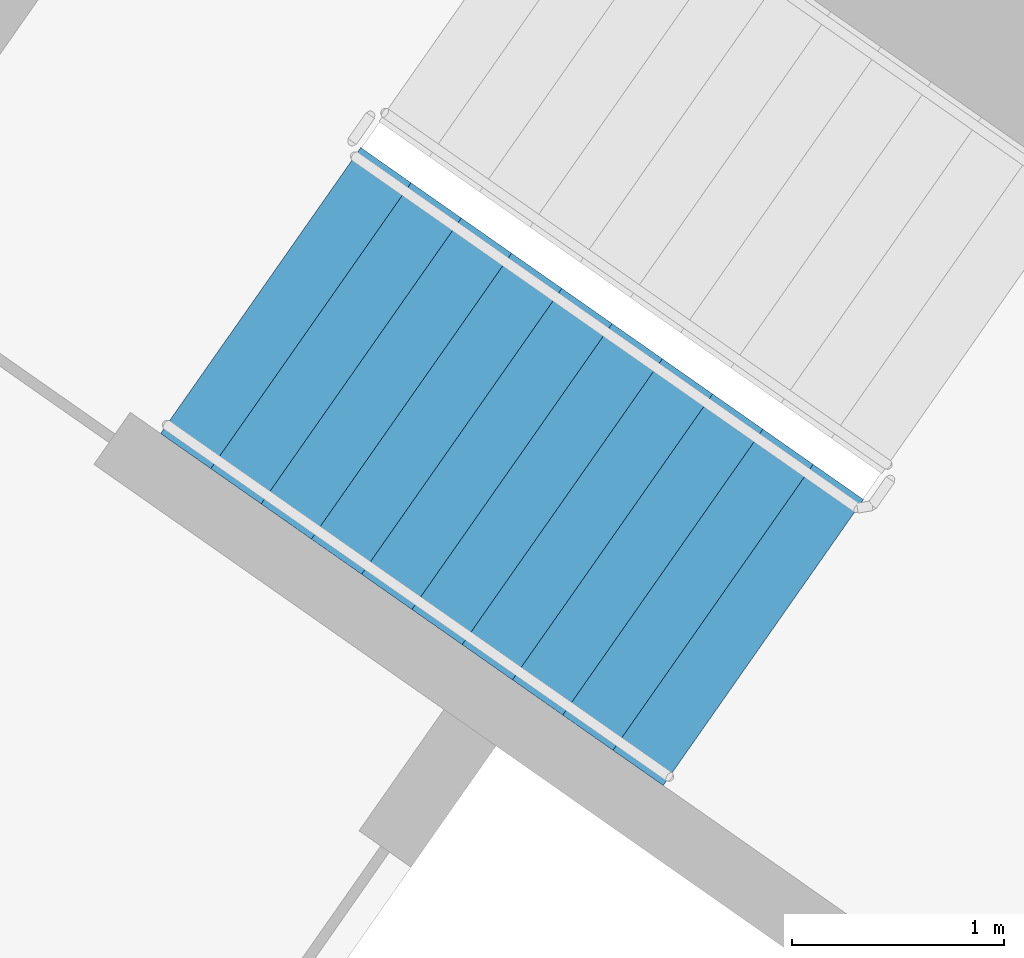
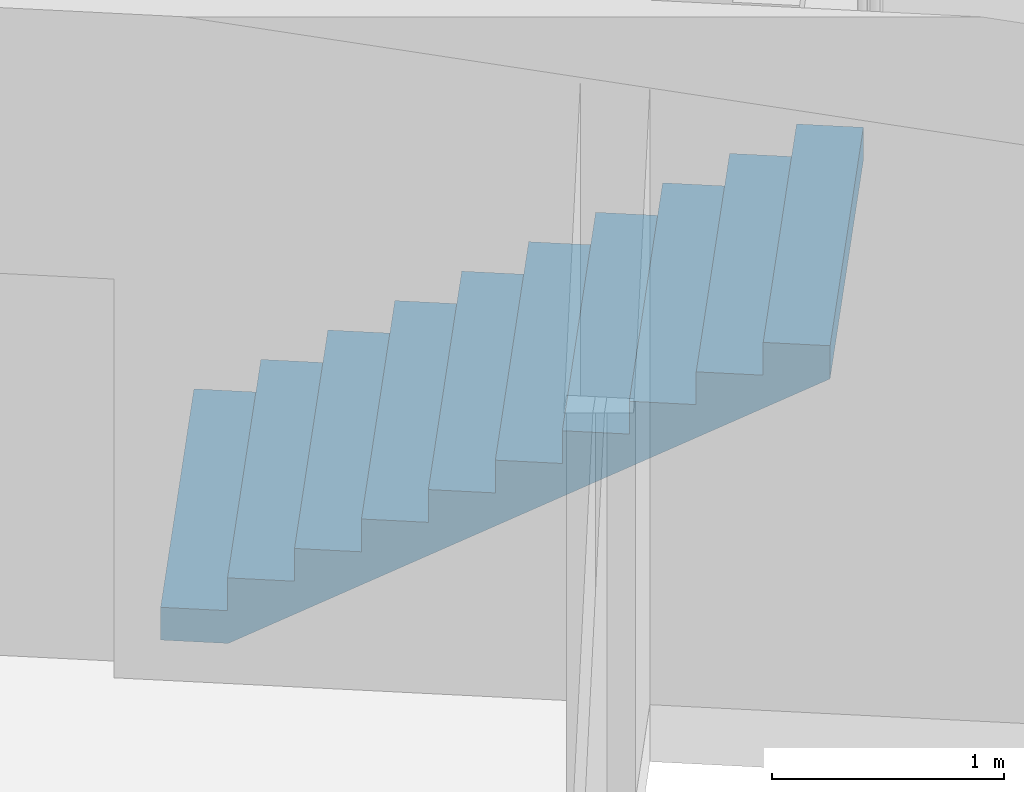
# One storey, part 11 of 28: 1 stair flight, 1 element without a shape of its own.
"""IFC4 building model written with IfcOpenShell, lengths in metres."""

from ifc_helpers import new_model, si_unit, direction, frame, origin, place, context, subcontext, project, spatial, faceted_brep, material, type_object, element, aggregate, save


model = new_model("IFC4")

# Units and contexts
model_context = context("Model", 3, precision=1e-05, world=origin(), true_north=direction((0.0, 1.0)))
body_context = subcontext(model_context, "Body", "Model", "MODEL_VIEW")
ifc_project = project(units=[si_unit("LENGTHUNIT", "METRE"), si_unit("AREAUNIT", "SQUARE_METRE"), si_unit("VOLUMEUNIT", "CUBIC_METRE"), si_unit("PLANEANGLEUNIT", "RADIAN"), si_unit("MASSUNIT", "GRAM", prefix="KILO")], contexts=[model_context])

# Site, building, storey
site_placement = place(None, origin())
site = spatial("IfcSite", under=ifc_project, at=site_placement, CompositionType="ELEMENT")
building_placement = place(site_placement, origin())
building = spatial("IfcBuilding", under=site, at=building_placement, Name="Qamariyya Broadcast Tower", CompositionType="ELEMENT")
storey_placement = place(building_placement, frame((0.0, 0.0, 265.699951171875)))
storey = spatial("IfcBuildingStorey", under=building, at=storey_placement, Name="L64", CompositionType="ELEMENT", Elevation=265.699951171875)

# Stair, stair flight
ifc_material = material(Name="Concrete C50/60", Category="concrete")
stair_type = type_object("IfcStairType", Name="Exit stair 22 risers of 173 mm", PredefinedType="HALF_TURN_STAIR", material=ifc_material)
stair_placement = place(storey_placement, origin())
stair = element("IfcStair", 1, at=stair_placement, inside=storey, type_object=stair_type, Name="L64 Stair W2", PredefinedType="HALF_TURN_STAIR")
stair_flight_type = type_object("IfcStairFlightType", Name="Exit stair flight 11 risers of 173 mm", PredefinedType="STRAIGHT", material=ifc_material)
stair_flight_placement = place(storey_placement, frame((-41.59130859375, -49.15966796875, 0.0), z_axis=(0.0, 0.0, 1.0), x_axis=(0.819152044289, -0.573576436351, 0.0)))
stair_flight = element("IfcStairFlight", 2, at=stair_flight_placement, type_object=stair_flight_type, Name="ST-W2 flight 1", NumberOfRisers=11, NumberOfTreads=10, PredefinedType="STRAIGHT", RiserHeight=0.172727273, TreadLength=0.29, context=body_context, shape_type="Brep", body=[
    faceted_brep([(0.0, 0.824951171875, 0.0), (0.0, 0.824951171875, 0.172607421875), (0.2900390625, 0.824951171875, 0.172607421875), (0.2900390625, 0.824951171875, 0.345458984375), (0.580078125, 0.824951171875, 0.345458984375), (0.580078125, 0.824951171875, 0.51806640625), (0.8701171875, 0.824951171875, 0.51806640625), (0.8701171875, 0.824951171875, 0.69091796875), (1.159912109375, 0.824951171875, 0.69091796875), (1.159912109375, 0.824951171875, 0.863525390625), (1.449951171875, 0.824951171875, 0.863525390625), (1.449951171875, 0.824951171875, 1.036376953125), (1.739990234375, 0.824951171875, 1.036376953125), (1.739990234375, 0.824951171875, 1.208984375), (2.030029296875, 0.824951171875, 1.208984375), (2.030029296875, 0.824951171875, 1.3818359375), (2.320068359375, 0.824951171875, 1.3818359375), (2.320068359375, 0.824951171875, 1.554443359375), (2.610107421875, 0.824951171875, 1.554443359375), (2.610107421875, 0.824951171875, 1.727294921875), (2.89990234375, 0.824951171875, 1.727294921875), (2.89990234375, 0.824951171875, 1.552734375), (0.29296875, 0.824951171875, 0.0), (0.29296875, -0.824951171875, 0.0), (2.89990234375, -0.824951171875, 1.552734375), (2.89990234375, -0.824951171875, 1.727294921875), (2.610107421875, -0.824951171875, 1.727294921875), (2.610107421875, -0.824951171875, 1.554443359375), (2.320068359375, -0.824951171875, 1.554443359375), (2.320068359375, -0.824951171875, 1.3818359375), (2.030029296875, -0.824951171875, 1.3818359375), (2.030029296875, -0.824951171875, 1.208984375), (1.739990234375, -0.824951171875, 1.208984375), (1.739990234375, -0.824951171875, 1.036376953125), (1.449951171875, -0.824951171875, 1.036376953125), (1.449951171875, -0.824951171875, 0.863525390625), (1.159912109375, -0.824951171875, 0.863525390625), (1.159912109375, -0.824951171875, 0.69091796875), (0.8701171875, -0.824951171875, 0.69091796875), (0.8701171875, -0.824951171875, 0.51806640625), (0.580078125, -0.824951171875, 0.51806640625), (0.580078125, -0.824951171875, 0.345458984375), (0.2900390625, -0.824951171875, 0.345458984375), (0.2900390625, -0.824951171875, 0.172607421875), (0.0, -0.824951171875, 0.172607421875), (0.0, -0.824951171875, 0.0), (0.0, 0.10009765625, 0.0), (0.0, 0.086669921875, 0.0), (0.0, 0.0732421875, 0.0), (0.0, 0.06005859375, 0.0), (0.0, 0.046630859375, 0.0), (0.0, 0.033447265625, 0.0), (0.0, 0.02001953125, 0.0), (0.0, 0.006591796875, 0.0), (0.0, -0.006591796875, 0.0), (0.0, -0.02001953125, 0.0), (0.0, -0.033447265625, 0.0), (0.0, -0.046630859375, 0.0), (0.0, -0.06005859375, 0.0), (0.0, -0.0732421875, 0.0), (0.0, -0.086669921875, 0.0), (0.0, -0.10009765625, 0.0), (0.0, -0.10009765625, 0.172607421875), (0.0, -0.086669921875, 0.172607421875), (0.0, -0.0732421875, 0.172607421875), (0.0, -0.06005859375, 0.172607421875), (0.0, -0.046630859375, 0.172607421875), (0.0, -0.033447265625, 0.172607421875), (0.0, -0.02001953125, 0.172607421875), (0.0, -0.006591796875, 0.172607421875), (0.0, 0.006591796875, 0.172607421875), (0.0, 0.02001953125, 0.172607421875), (0.0, 0.033447265625, 0.172607421875), (0.0, 0.046630859375, 0.172607421875), (0.0, 0.06005859375, 0.172607421875), (0.0, 0.0732421875, 0.172607421875), (0.0, 0.086669921875, 0.172607421875), (0.0, 0.10009765625, 0.172607421875), (0.2900390625, -0.10009765625, 0.172607421875), (0.2900390625, -0.086669921875, 0.172607421875), (0.2900390625, -0.0732421875, 0.172607421875), (0.2900390625, -0.06005859375, 0.172607421875), (0.2900390625, -0.046630859375, 0.172607421875), (0.2900390625, -0.033447265625, 0.172607421875), (0.2900390625, -0.02001953125, 0.172607421875), (0.2900390625, -0.006591796875, 0.172607421875), (0.2900390625, 0.006591796875, 0.172607421875), (0.2900390625, 0.02001953125, 0.172607421875), (0.2900390625, 0.033447265625, 0.172607421875), (0.2900390625, 0.046630859375, 0.172607421875), (0.2900390625, 0.06005859375, 0.172607421875), (0.2900390625, 0.0732421875, 0.172607421875), (0.2900390625, 0.086669921875, 0.172607421875), (0.2900390625, 0.10009765625, 0.172607421875), (0.2900390625, -0.10009765625, 0.345458984375), (0.2900390625, -0.086669921875, 0.345458984375), (0.2900390625, -0.0732421875, 0.345458984375), (0.2900390625, -0.06005859375, 0.345458984375), (0.2900390625, -0.046630859375, 0.345458984375), (0.2900390625, -0.033447265625, 0.345458984375), (0.2900390625, -0.02001953125, 0.345458984375), (0.2900390625, -0.006591796875, 0.345458984375), (0.2900390625, 0.006591796875, 0.345458984375), (0.2900390625, 0.02001953125, 0.345458984375), (0.2900390625, 0.033447265625, 0.345458984375), (0.2900390625, 0.046630859375, 0.345458984375), (0.2900390625, 0.06005859375, 0.345458984375), (0.2900390625, 0.0732421875, 0.345458984375), (0.2900390625, 0.086669921875, 0.345458984375), (0.2900390625, 0.10009765625, 0.345458984375), (0.580078125, -0.10009765625, 0.345458984375), (0.580078125, -0.086669921875, 0.345458984375), (0.580078125, -0.0732421875, 0.345458984375), (0.580078125, -0.06005859375, 0.345458984375), (0.580078125, -0.046630859375, 0.345458984375), (0.580078125, -0.033447265625, 0.345458984375), (0.580078125, -0.02001953125, 0.345458984375), (0.580078125, -0.006591796875, 0.345458984375), (0.580078125, 0.006591796875, 0.345458984375), (0.580078125, 0.02001953125, 0.345458984375), (0.580078125, 0.033447265625, 0.345458984375), (0.580078125, 0.046630859375, 0.345458984375), (0.580078125, 0.06005859375, 0.345458984375), (0.580078125, 0.0732421875, 0.345458984375), (0.580078125, 0.086669921875, 0.345458984375), (0.580078125, 0.10009765625, 0.345458984375), (0.580078125, -0.10009765625, 0.51806640625), (0.580078125, -0.086669921875, 0.51806640625), (0.580078125, -0.0732421875, 0.51806640625), (0.580078125, -0.06005859375, 0.51806640625), (0.580078125, -0.046630859375, 0.51806640625), (0.580078125, -0.033447265625, 0.51806640625), (0.580078125, -0.02001953125, 0.51806640625), (0.580078125, -0.006591796875, 0.51806640625), (0.580078125, 0.006591796875, 0.51806640625), (0.580078125, 0.02001953125, 0.51806640625), (0.580078125, 0.033447265625, 0.51806640625), (0.580078125, 0.046630859375, 0.51806640625), (0.580078125, 0.06005859375, 0.51806640625), (0.580078125, 0.0732421875, 0.51806640625), (0.580078125, 0.086669921875, 0.51806640625), (0.580078125, 0.10009765625, 0.51806640625), (0.8701171875, -0.10009765625, 0.51806640625), (0.8701171875, -0.086669921875, 0.51806640625), (0.8701171875, -0.0732421875, 0.51806640625), (0.8701171875, -0.06005859375, 0.51806640625), (0.8701171875, -0.046630859375, 0.51806640625), (0.8701171875, -0.033447265625, 0.51806640625), (0.8701171875, -0.02001953125, 0.51806640625), (0.8701171875, -0.006591796875, 0.51806640625), (0.8701171875, 0.006591796875, 0.51806640625), (0.8701171875, 0.02001953125, 0.51806640625), (0.8701171875, 0.033447265625, 0.51806640625), (0.8701171875, 0.046630859375, 0.51806640625), (0.8701171875, 0.06005859375, 0.51806640625), (0.8701171875, 0.0732421875, 0.51806640625), (0.8701171875, 0.086669921875, 0.51806640625), (0.8701171875, 0.10009765625, 0.51806640625), (0.8701171875, -0.10009765625, 0.69091796875), (0.8701171875, -0.086669921875, 0.69091796875), (0.8701171875, -0.0732421875, 0.69091796875), (0.8701171875, -0.06005859375, 0.69091796875), (0.8701171875, -0.046630859375, 0.69091796875), (0.8701171875, -0.033447265625, 0.69091796875), (0.8701171875, -0.02001953125, 0.69091796875), (0.8701171875, -0.006591796875, 0.69091796875), (0.8701171875, 0.006591796875, 0.69091796875), (0.8701171875, 0.02001953125, 0.69091796875), (0.8701171875, 0.033447265625, 0.69091796875), (0.8701171875, 0.046630859375, 0.69091796875), (0.8701171875, 0.06005859375, 0.69091796875), (0.8701171875, 0.0732421875, 0.69091796875), (0.8701171875, 0.086669921875, 0.69091796875), (0.8701171875, 0.10009765625, 0.69091796875), (1.159912109375, -0.10009765625, 0.69091796875), (1.159912109375, -0.086669921875, 0.69091796875), (1.159912109375, -0.0732421875, 0.69091796875), (1.159912109375, -0.06005859375, 0.69091796875), (1.159912109375, -0.046630859375, 0.69091796875), (1.159912109375, -0.033447265625, 0.69091796875), (1.159912109375, -0.02001953125, 0.69091796875), (1.159912109375, -0.006591796875, 0.69091796875), (1.159912109375, 0.006591796875, 0.69091796875), (1.159912109375, 0.02001953125, 0.69091796875), (1.159912109375, 0.033447265625, 0.69091796875), (1.159912109375, 0.046630859375, 0.69091796875), (1.159912109375, 0.06005859375, 0.69091796875), (1.159912109375, 0.0732421875, 0.69091796875), (1.159912109375, 0.086669921875, 0.69091796875), (1.159912109375, 0.10009765625, 0.69091796875), (1.159912109375, -0.10009765625, 0.863525390625), (1.159912109375, -0.086669921875, 0.863525390625), (1.159912109375, -0.0732421875, 0.863525390625), (1.159912109375, -0.06005859375, 0.863525390625), (1.159912109375, -0.046630859375, 0.863525390625), (1.159912109375, -0.033447265625, 0.863525390625), (1.159912109375, -0.02001953125, 0.863525390625), (1.159912109375, -0.006591796875, 0.863525390625), (1.159912109375, 0.006591796875, 0.863525390625), (1.159912109375, 0.02001953125, 0.863525390625), (1.159912109375, 0.033447265625, 0.863525390625), (1.159912109375, 0.046630859375, 0.863525390625), (1.159912109375, 0.06005859375, 0.863525390625), (1.159912109375, 0.0732421875, 0.863525390625), (1.159912109375, 0.086669921875, 0.863525390625), (1.159912109375, 0.10009765625, 0.863525390625), (1.449951171875, -0.10009765625, 0.863525390625), (1.449951171875, -0.086669921875, 0.863525390625), (1.449951171875, -0.0732421875, 0.863525390625), (1.449951171875, -0.06005859375, 0.863525390625), (1.449951171875, -0.046630859375, 0.863525390625), (1.449951171875, -0.033447265625, 0.863525390625), (1.449951171875, -0.02001953125, 0.863525390625), (1.449951171875, -0.006591796875, 0.863525390625), (1.449951171875, 0.006591796875, 0.863525390625), (1.449951171875, 0.02001953125, 0.863525390625), (1.449951171875, 0.033447265625, 0.863525390625), (1.449951171875, 0.046630859375, 0.863525390625), (1.449951171875, 0.06005859375, 0.863525390625), (1.449951171875, 0.0732421875, 0.863525390625), (1.449951171875, 0.086669921875, 0.863525390625), (1.449951171875, 0.10009765625, 0.863525390625), (1.449951171875, -0.10009765625, 1.036376953125), (1.449951171875, -0.086669921875, 1.036376953125), (1.449951171875, -0.0732421875, 1.036376953125), (1.449951171875, -0.06005859375, 1.036376953125), (1.449951171875, -0.046630859375, 1.036376953125), (1.449951171875, -0.033447265625, 1.036376953125), (1.449951171875, -0.02001953125, 1.036376953125), (1.449951171875, -0.006591796875, 1.036376953125), (1.449951171875, 0.006591796875, 1.036376953125), (1.449951171875, 0.02001953125, 1.036376953125), (1.449951171875, 0.033447265625, 1.036376953125), (1.449951171875, 0.046630859375, 1.036376953125), (1.449951171875, 0.06005859375, 1.036376953125), (1.449951171875, 0.0732421875, 1.036376953125), (1.449951171875, 0.086669921875, 1.036376953125), (1.449951171875, 0.10009765625, 1.036376953125), (1.739990234375, -0.10009765625, 1.036376953125), (1.739990234375, -0.086669921875, 1.036376953125), (1.739990234375, -0.0732421875, 1.036376953125), (1.739990234375, -0.06005859375, 1.036376953125), (1.739990234375, -0.046630859375, 1.036376953125), (1.739990234375, -0.033447265625, 1.036376953125), (1.739990234375, -0.02001953125, 1.036376953125), (1.739990234375, -0.006591796875, 1.036376953125), (1.739990234375, 0.006591796875, 1.036376953125), (1.739990234375, 0.02001953125, 1.036376953125), (1.739990234375, 0.033447265625, 1.036376953125), (1.739990234375, 0.046630859375, 1.036376953125), (1.739990234375, 0.06005859375, 1.036376953125), (1.739990234375, 0.0732421875, 1.036376953125), (1.739990234375, 0.086669921875, 1.036376953125), (1.739990234375, 0.10009765625, 1.036376953125), (1.739990234375, -0.10009765625, 1.208984375), (1.739990234375, -0.086669921875, 1.208984375), (1.739990234375, -0.0732421875, 1.208984375), (1.739990234375, -0.06005859375, 1.208984375), (1.739990234375, -0.046630859375, 1.208984375), (1.739990234375, -0.033447265625, 1.208984375), (1.739990234375, -0.02001953125, 1.208984375), (1.739990234375, -0.006591796875, 1.208984375), (1.739990234375, 0.006591796875, 1.208984375), (1.739990234375, 0.02001953125, 1.208984375), (1.739990234375, 0.033447265625, 1.208984375), (1.739990234375, 0.046630859375, 1.208984375), (1.739990234375, 0.06005859375, 1.208984375), (1.739990234375, 0.0732421875, 1.208984375), (1.739990234375, 0.086669921875, 1.208984375), (1.739990234375, 0.10009765625, 1.208984375), (2.030029296875, -0.10009765625, 1.208984375), (2.030029296875, -0.086669921875, 1.208984375), (2.030029296875, -0.0732421875, 1.208984375), (2.030029296875, -0.06005859375, 1.208984375), (2.030029296875, -0.046630859375, 1.208984375), (2.030029296875, -0.033447265625, 1.208984375), (2.030029296875, -0.02001953125, 1.208984375), (2.030029296875, -0.006591796875, 1.208984375), (2.030029296875, 0.006591796875, 1.208984375), (2.030029296875, 0.02001953125, 1.208984375), (2.030029296875, 0.033447265625, 1.208984375), (2.030029296875, 0.046630859375, 1.208984375), (2.030029296875, 0.06005859375, 1.208984375), (2.030029296875, 0.0732421875, 1.208984375), (2.030029296875, 0.086669921875, 1.208984375), (2.030029296875, 0.10009765625, 1.208984375), (2.030029296875, -0.10009765625, 1.3818359375), (2.030029296875, -0.086669921875, 1.3818359375), (2.030029296875, -0.0732421875, 1.3818359375), (2.030029296875, -0.06005859375, 1.3818359375), (2.030029296875, -0.046630859375, 1.3818359375), (2.030029296875, -0.033447265625, 1.3818359375), (2.030029296875, -0.02001953125, 1.3818359375), (2.030029296875, -0.006591796875, 1.3818359375), (2.030029296875, 0.006591796875, 1.3818359375), (2.030029296875, 0.02001953125, 1.3818359375), (2.030029296875, 0.033447265625, 1.3818359375), (2.030029296875, 0.046630859375, 1.3818359375), (2.030029296875, 0.06005859375, 1.3818359375), (2.030029296875, 0.0732421875, 1.3818359375), (2.030029296875, 0.086669921875, 1.3818359375), (2.030029296875, 0.10009765625, 1.3818359375), (2.320068359375, -0.10009765625, 1.3818359375), (2.320068359375, -0.086669921875, 1.3818359375), (2.320068359375, -0.0732421875, 1.3818359375), (2.320068359375, -0.06005859375, 1.3818359375), (2.320068359375, -0.046630859375, 1.3818359375), (2.320068359375, -0.033447265625, 1.3818359375), (2.320068359375, -0.02001953125, 1.3818359375), (2.320068359375, -0.006591796875, 1.3818359375), (2.320068359375, 0.006591796875, 1.3818359375), (2.320068359375, 0.02001953125, 1.3818359375), (2.320068359375, 0.033447265625, 1.3818359375), (2.320068359375, 0.046630859375, 1.3818359375), (2.320068359375, 0.06005859375, 1.3818359375), (2.320068359375, 0.0732421875, 1.3818359375), (2.320068359375, 0.086669921875, 1.3818359375), (2.320068359375, 0.10009765625, 1.3818359375), (2.320068359375, -0.10009765625, 1.554443359375), (2.320068359375, -0.086669921875, 1.554443359375), (2.320068359375, -0.0732421875, 1.554443359375), (2.320068359375, -0.06005859375, 1.554443359375), (2.320068359375, -0.046630859375, 1.554443359375), (2.320068359375, -0.033447265625, 1.554443359375), (2.320068359375, -0.02001953125, 1.554443359375), (2.320068359375, -0.006591796875, 1.554443359375), (2.320068359375, 0.006591796875, 1.554443359375), (2.320068359375, 0.02001953125, 1.554443359375), (2.320068359375, 0.033447265625, 1.554443359375), (2.320068359375, 0.046630859375, 1.554443359375), (2.320068359375, 0.06005859375, 1.554443359375), (2.320068359375, 0.0732421875, 1.554443359375), (2.320068359375, 0.086669921875, 1.554443359375), (2.320068359375, 0.10009765625, 1.554443359375), (2.610107421875, -0.10009765625, 1.554443359375), (2.610107421875, -0.086669921875, 1.554443359375), (2.610107421875, -0.0732421875, 1.554443359375), (2.610107421875, -0.06005859375, 1.554443359375), (2.610107421875, -0.046630859375, 1.554443359375), (2.610107421875, -0.033447265625, 1.554443359375), (2.610107421875, -0.02001953125, 1.554443359375), (2.610107421875, -0.006591796875, 1.554443359375), (2.610107421875, 0.006591796875, 1.554443359375), (2.610107421875, 0.02001953125, 1.554443359375), (2.610107421875, 0.033447265625, 1.554443359375), (2.610107421875, 0.046630859375, 1.554443359375), (2.610107421875, 0.06005859375, 1.554443359375), (2.610107421875, 0.0732421875, 1.554443359375), (2.610107421875, 0.086669921875, 1.554443359375), (2.610107421875, 0.10009765625, 1.554443359375), (2.610107421875, -0.10009765625, 1.727294921875), (2.610107421875, -0.086669921875, 1.727294921875), (2.610107421875, -0.0732421875, 1.727294921875), (2.610107421875, -0.06005859375, 1.727294921875), (2.610107421875, -0.046630859375, 1.727294921875), (2.610107421875, -0.033447265625, 1.727294921875), (2.610107421875, -0.02001953125, 1.727294921875), (2.610107421875, -0.006591796875, 1.727294921875), (2.610107421875, 0.006591796875, 1.727294921875), (2.610107421875, 0.02001953125, 1.727294921875), (2.610107421875, 0.033447265625, 1.727294921875), (2.610107421875, 0.046630859375, 1.727294921875), (2.610107421875, 0.06005859375, 1.727294921875), (2.610107421875, 0.0732421875, 1.727294921875), (2.610107421875, 0.086669921875, 1.727294921875), (2.610107421875, 0.10009765625, 1.727294921875), (2.89990234375, -0.10009765625, 1.727294921875), (2.89990234375, -0.086669921875, 1.727294921875), (2.89990234375, -0.0732421875, 1.727294921875), (2.89990234375, -0.06005859375, 1.727294921875), (2.89990234375, -0.046630859375, 1.727294921875), (2.89990234375, -0.033447265625, 1.727294921875), (2.89990234375, -0.02001953125, 1.727294921875), (2.89990234375, -0.006591796875, 1.727294921875), (2.89990234375, 0.006591796875, 1.727294921875), (2.89990234375, 0.02001953125, 1.727294921875), (2.89990234375, 0.033447265625, 1.727294921875), (2.89990234375, 0.046630859375, 1.727294921875), (2.89990234375, 0.06005859375, 1.727294921875), (2.89990234375, 0.0732421875, 1.727294921875), (2.89990234375, 0.086669921875, 1.727294921875), (2.89990234375, 0.10009765625, 1.727294921875), (2.89990234375, -0.10009765625, 1.552734375), (2.89990234375, -0.086669921875, 1.552734375), (2.89990234375, -0.0732421875, 1.552734375), (2.89990234375, -0.06005859375, 1.552734375), (2.89990234375, -0.046630859375, 1.552734375), (2.89990234375, -0.033447265625, 1.552734375), (2.89990234375, -0.02001953125, 1.552734375), (2.89990234375, -0.006591796875, 1.552734375), (2.89990234375, 0.006591796875, 1.552734375), (2.89990234375, 0.02001953125, 1.552734375), (2.89990234375, 0.033447265625, 1.552734375), (2.89990234375, 0.046630859375, 1.552734375), (2.89990234375, 0.06005859375, 1.552734375), (2.89990234375, 0.0732421875, 1.552734375), (2.89990234375, 0.086669921875, 1.552734375), (2.89990234375, 0.10009765625, 1.552734375), (0.29296875, -0.10009765625, 0.0), (0.29296875, -0.086669921875, 0.0), (0.29296875, -0.0732421875, 0.0), (0.29296875, -0.06005859375, 0.0), (0.29296875, -0.046630859375, 0.0), (0.29296875, -0.033447265625, 0.0), (0.29296875, -0.02001953125, 0.0), (0.29296875, -0.006591796875, 0.0), (0.29296875, 0.006591796875, 0.0), (0.29296875, 0.02001953125, 0.0), (0.29296875, 0.033447265625, 0.0), (0.29296875, 0.046630859375, 0.0), (0.29296875, 0.06005859375, 0.0), (0.29296875, 0.0732421875, 0.0), (0.29296875, 0.086669921875, 0.0), (0.29296875, 0.10009765625, 0.0)], [[[0, 1, 2, 3, 4, 5, 6, 7, 8, 9, 10, 11, 12, 13, 14, 15, 16, 17, 18, 19, 20, 21, 22]], [[23, 24, 25, 26, 27, 28, 29, 30, 31, 32, 33, 34, 35, 36, 37, 38, 39, 40, 41, 42, 43, 44, 45]], [[0, 46, 47, 48, 49, 50, 51, 52, 53, 54, 55, 56, 57, 58, 59, 60, 61, 45, 44, 62, 63, 64, 65, 66, 67, 68, 69, 70, 71, 72, 73, 74, 75, 76, 77, 1]], [[1, 77, 76, 75, 74, 73, 72, 71, 70, 69, 68, 67, 66, 65, 64, 63, 62, 44, 43, 78, 79, 80, 81, 82, 83, 84, 85, 86, 87, 88, 89, 90, 91, 92, 93, 2]], [[2, 93, 92, 91, 90, 89, 88, 87, 86, 85, 84, 83, 82, 81, 80, 79, 78, 43, 42, 94, 95, 96, 97, 98, 99, 100, 101, 102, 103, 104, 105, 106, 107, 108, 109, 3]], [[3, 109, 108, 107, 106, 105, 104, 103, 102, 101, 100, 99, 98, 97, 96, 95, 94, 42, 41, 110, 111, 112, 113, 114, 115, 116, 117, 118, 119, 120, 121, 122, 123, 124, 125, 4]], [[4, 125, 124, 123, 122, 121, 120, 119, 118, 117, 116, 115, 114, 113, 112, 111, 110, 41, 40, 126, 127, 128, 129, 130, 131, 132, 133, 134, 135, 136, 137, 138, 139, 140, 141, 5]], [[5, 141, 140, 139, 138, 137, 136, 135, 134, 133, 132, 131, 130, 129, 128, 127, 126, 40, 39, 142, 143, 144, 145, 146, 147, 148, 149, 150, 151, 152, 153, 154, 155, 156, 157, 6]], [[6, 157, 156, 155, 154, 153, 152, 151, 150, 149, 148, 147, 146, 145, 144, 143, 142, 39, 38, 158, 159, 160, 161, 162, 163, 164, 165, 166, 167, 168, 169, 170, 171, 172, 173, 7]], [[7, 173, 172, 171, 170, 169, 168, 167, 166, 165, 164, 163, 162, 161, 160, 159, 158, 38, 37, 174, 175, 176, 177, 178, 179, 180, 181, 182, 183, 184, 185, 186, 187, 188, 189, 8]], [[8, 189, 188, 187, 186, 185, 184, 183, 182, 181, 180, 179, 178, 177, 176, 175, 174, 37, 36, 190, 191, 192, 193, 194, 195, 196, 197, 198, 199, 200, 201, 202, 203, 204, 205, 9]], [[9, 205, 204, 203, 202, 201, 200, 199, 198, 197, 196, 195, 194, 193, 192, 191, 190, 36, 35, 206, 207, 208, 209, 210, 211, 212, 213, 214, 215, 216, 217, 218, 219, 220, 221, 10]], [[10, 221, 220, 219, 218, 217, 216, 215, 214, 213, 212, 211, 210, 209, 208, 207, 206, 35, 34, 222, 223, 224, 225, 226, 227, 228, 229, 230, 231, 232, 233, 234, 235, 236, 237, 11]], [[11, 237, 236, 235, 234, 233, 232, 231, 230, 229, 228, 227, 226, 225, 224, 223, 222, 34, 33, 238, 239, 240, 241, 242, 243, 244, 245, 246, 247, 248, 249, 250, 251, 252, 253, 12]], [[12, 253, 252, 251, 250, 249, 248, 247, 246, 245, 244, 243, 242, 241, 240, 239, 238, 33, 32, 254, 255, 256, 257, 258, 259, 260, 261, 262, 263, 264, 265, 266, 267, 268, 269, 13]], [[13, 269, 268, 267, 266, 265, 264, 263, 262, 261, 260, 259, 258, 257, 256, 255, 254, 32, 31, 270, 271, 272, 273, 274, 275, 276, 277, 278, 279, 280, 281, 282, 283, 284, 285, 14]], [[14, 285, 284, 283, 282, 281, 280, 279, 278, 277, 276, 275, 274, 273, 272, 271, 270, 31, 30, 286, 287, 288, 289, 290, 291, 292, 293, 294, 295, 296, 297, 298, 299, 300, 301, 15]], [[15, 301, 300, 299, 298, 297, 296, 295, 294, 293, 292, 291, 290, 289, 288, 287, 286, 30, 29, 302, 303, 304, 305, 306, 307, 308, 309, 310, 311, 312, 313, 314, 315, 316, 317, 16]], [[16, 317, 316, 315, 314, 313, 312, 311, 310, 309, 308, 307, 306, 305, 304, 303, 302, 29, 28, 318, 319, 320, 321, 322, 323, 324, 325, 326, 327, 328, 329, 330, 331, 332, 333, 17]], [[17, 333, 332, 331, 330, 329, 328, 327, 326, 325, 324, 323, 322, 321, 320, 319, 318, 28, 27, 334, 335, 336, 337, 338, 339, 340, 341, 342, 343, 344, 345, 346, 347, 348, 349, 18]], [[18, 349, 348, 347, 346, 345, 344, 343, 342, 341, 340, 339, 338, 337, 336, 335, 334, 27, 26, 350, 351, 352, 353, 354, 355, 356, 357, 358, 359, 360, 361, 362, 363, 364, 365, 19]], [[19, 365, 364, 363, 362, 361, 360, 359, 358, 357, 356, 355, 354, 353, 352, 351, 350, 26, 25, 366, 367, 368, 369, 370, 371, 372, 373, 374, 375, 376, 377, 378, 379, 380, 381, 20]], [[20, 381, 380, 379, 378, 377, 376, 375, 374, 373, 372, 371, 370, 369, 368, 367, 366, 25, 24, 382, 383, 384, 385, 386, 387, 388, 389, 390, 391, 392, 393, 394, 395, 396, 397, 21]], [[21, 397, 396, 395, 394, 393, 392, 391, 390, 389, 388, 387, 386, 385, 384, 383, 382, 24, 23, 398, 399, 400, 401, 402, 403, 404, 405, 406, 407, 408, 409, 410, 411, 412, 413, 22]], [[22, 413, 412, 411, 410, 409, 408, 407, 406, 405, 404, 403, 402, 401, 400, 399, 398, 23, 45, 61, 60, 59, 58, 57, 56, 55, 54, 53, 52, 51, 50, 49, 48, 47, 46, 0]]]),
])
aggregate(stair, [stair_flight])

save(model, "model.ifc")
